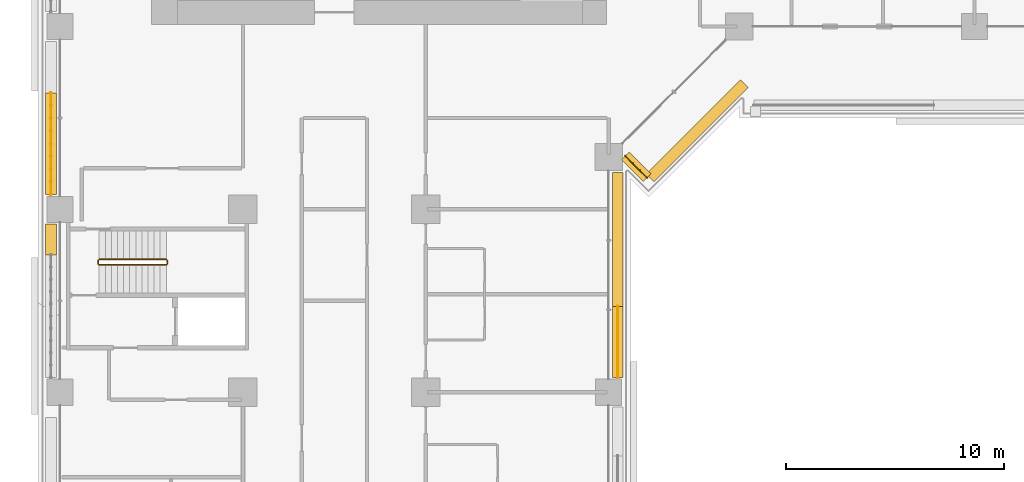
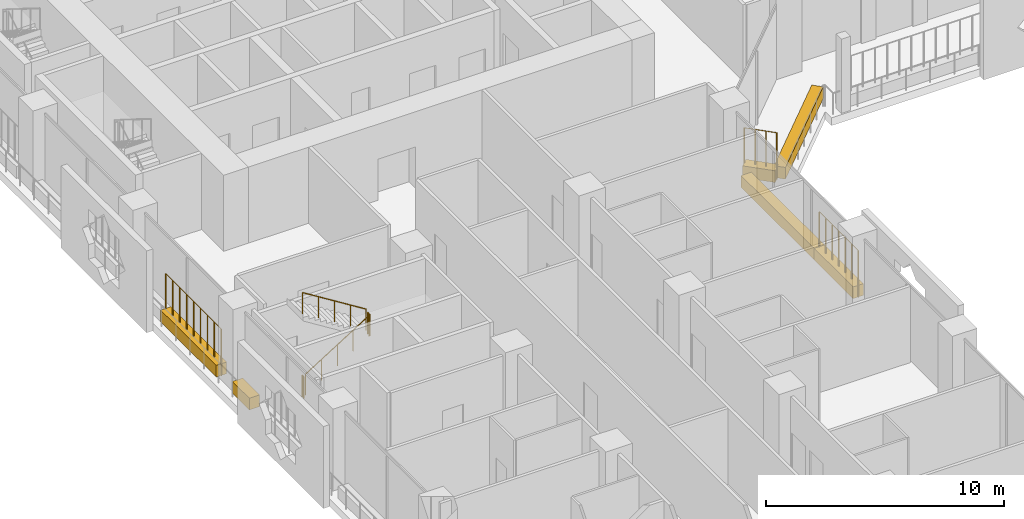
# One storey, part 23 of 29: 7 railings, 6 coverings.
"""IFC4 building model written with IfcOpenShell, lengths in metres."""

from ifc_helpers import new_model, si_unit, direction, frame, origin, origin_2d, place, context, subcontext, project, spatial, rectangle, circle, extrude, material, material_profile, profile_set, type_object, element, save


model = new_model("IFC4")

# Units and contexts
model_context = context("Model", 3, precision=1e-05, world=origin(), true_north=direction((0.0, 1.0)))
body_context = subcontext(model_context, "Body", "Model", "MODEL_VIEW")
ifc_project = project(units=[si_unit("LENGTHUNIT", "METRE"), si_unit("AREAUNIT", "SQUARE_METRE"), si_unit("VOLUMEUNIT", "CUBIC_METRE"), si_unit("PLANEANGLEUNIT", "RADIAN"), si_unit("MASSUNIT", "GRAM", prefix="KILO")], contexts=[model_context])

# Site, building, storey
site_placement = place(None, origin())
site = spatial("IfcSite", under=ifc_project, at=site_placement, CompositionType="ELEMENT")
building_placement = place(site_placement, origin())
building = spatial("IfcBuilding", under=site, at=building_placement, Name="Kawkab Arch Medical Tower", CompositionType="ELEMENT")
storey_placement = place(building_placement, frame((0.0, 0.0, 64.39990234375)))
storey = spatial("IfcBuildingStorey", under=building, at=storey_placement, Name="L14", CompositionType="ELEMENT", Elevation=64.39990234375)

# Coverings
ifc_material_1 = material(Name="Planting soil in a precast trough", Category="concrete")
ifc_material_profile = material_profile(ifc_material_1, rectangle(XDim=0.5, YDim=0.60009765625, at=origin_2d()), Name="Trough 500x600")
ifc_profile_set = profile_set([ifc_material_profile], Name="Planting soil in a precast trough")
covering_type = type_object("IfcCoveringType", Name="Planter trough 500 x 600", PredefinedType="USERDEFINED", material=ifc_profile_set)
covering_1_placement = place(storey_placement, frame((-0.419921875, -35.699951171875, 0.300048828125), z_axis=(0.0, 1.0, 0.0), x_axis=(-1.0, 0.0, 0.0)))
element("IfcCovering", 1, at=covering_1_placement, inside=storey, type_object=covering_type, Name="Planter L14.LOG-01-01.10", ObjectType="PLANTER", PredefinedType="USERDEFINED", context=body_context, shape_type="SweptSolid", body=[
    extrude(rectangle(XDim=0.5, YDim=0.60009765625, at=origin_2d()), origin(), (0.0, 0.0, 1.0), 1.419921875),
])
covering_2_placement = place(storey_placement, frame((-0.419921875, -32.919921875, 0.300048828125), z_axis=(0.0, 1.0, 0.0), x_axis=(-1.0, 0.0, 0.0)))
element("IfcCovering", 2, at=covering_2_placement, inside=storey, type_object=covering_type, Name="Planter L14.LOG-01-01.11", ObjectType="PLANTER", PredefinedType="USERDEFINED", context=body_context, shape_type="SweptSolid", body=[
    extrude(rectangle(XDim=0.5, YDim=0.60009765625, at=origin_2d()), origin(), (0.0, 0.0, 1.0), 4.676025390625),
])
covering_3_placement = place(storey_placement, frame((31.43701171875, -27.820068359375, 0.300048828125), z_axis=(-0.707206504313, -0.707007043994, 0.0), x_axis=(0.707007043994, -0.707206504313, 0.0)))
element("IfcCovering", 3, at=covering_3_placement, inside=storey, type_object=covering_type, Name="Planter L14.LOG-01-01.42", ObjectType="PLANTER", PredefinedType="USERDEFINED", context=body_context, shape_type="SweptSolid", body=[
    extrude(rectangle(XDim=0.5, YDim=0.60009765625, at=origin_2d()), origin(), (0.0, 0.0, 1.0), 6.1201171875),
])
covering_4_placement = place(storey_placement, frame((26.967041015625, -32.14697265625, 0.300048828125), z_axis=(-0.707192746389, 0.707020805532, 0.0), x_axis=(-0.707020805532, -0.707192746389, 0.0)))
element("IfcCovering", 4, at=covering_4_placement, inside=storey, type_object=covering_type, Name="Planter L14.LOG-01-01.43", ObjectType="PLANTER", PredefinedType="USERDEFINED", context=body_context, shape_type="SweptSolid", body=[
    extrude(rectangle(XDim=0.5, YDim=0.60009765625, at=origin_2d()), origin(), (0.0, 0.0, 1.0), 1.419921875),
])
covering_5_placement = place(storey_placement, frame((25.6201171875, -31.905029296875, 0.300048828125), z_axis=(0.0, -1.0, 0.0), x_axis=(1.0, 0.0, 0.0)))
element("IfcCovering", 5, at=covering_5_placement, inside=storey, type_object=covering_type, Name="Planter L14.LOG-01-01.44", ObjectType="PLANTER", PredefinedType="USERDEFINED", context=body_context, shape_type="SweptSolid", body=[
    extrude(rectangle(XDim=0.5, YDim=0.60009765625, at=origin_2d()), origin(), (0.0, 0.0, 1.0), 6.14794921875),
])
covering_6_placement = place(storey_placement, frame((25.6201171875, -38.052978515625, 0.300048828125), z_axis=(0.0, -1.0, 0.0), x_axis=(1.0, 0.0, 0.0)))
element("IfcCovering", 6, at=covering_6_placement, inside=storey, type_object=covering_type, Name="Planter L14.LOG-01-01.45", ObjectType="PLANTER", PredefinedType="USERDEFINED", context=body_context, shape_type="SweptSolid", body=[
    extrude(rectangle(XDim=0.5, YDim=0.60009765625, at=origin_2d()), origin(), (0.0, 0.0, 1.0), 3.26708984375),
])

# Railings
ifc_material_2 = material(Name="Bronze anodised aluminium trellis for climbing plants", Category="aluminium")
railing_type_1 = type_object("IfcRailingType", Name="Planting trellis 2400", PredefinedType="USERDEFINED", material=ifc_material_2)
railing_1_placement = place(storey_placement, frame((-0.419921875, -32.919921875, 0.0)))
element("IfcRailing", 7, at=railing_1_placement, inside=storey, type_object=railing_type_1, Name="Planting trellis L14.LOG-01-01.11", ObjectType="TRELLIS", PredefinedType="USERDEFINED", context=body_context, shape_type="SweptSolid", body=[
    extrude(circle(Radius=0.01513671875, at=origin_2d()), frame((0.0, 0.0, 2.384765625), z_axis=(0.0, 1.0, 0.0), x_axis=(-1.0, 0.0, 0.0)), (0.0, 0.0, 1.0), 4.676025390625),
    extrude(circle(Radius=0.030029296875, at=origin_2d()), origin(), (0.0, 0.0, 1.0), 2.369873046875),
    extrude(circle(Radius=0.030029296875, at=origin_2d()), frame((0.0, 0.58447265625, 0.0)), (0.0, 0.0, 1.0), 2.369873046875),
    extrude(circle(Radius=0.030029296875, at=origin_2d()), frame((0.0, 1.1689453125, 0.0)), (0.0, 0.0, 1.0), 2.369873046875),
    extrude(circle(Radius=0.030029296875, at=origin_2d()), frame((0.0, 1.75341796875, 0.0)), (0.0, 0.0, 1.0), 2.369873046875),
    extrude(circle(Radius=0.030029296875, at=origin_2d()), frame((0.0, 2.337890625, 0.0)), (0.0, 0.0, 1.0), 2.369873046875),
    extrude(circle(Radius=0.030029296875, at=origin_2d()), frame((0.0, 2.922607421875, 0.0)), (0.0, 0.0, 1.0), 2.369873046875),
    extrude(circle(Radius=0.030029296875, at=origin_2d()), frame((0.0, 3.507080078125, 0.0)), (0.0, 0.0, 1.0), 2.369873046875),
    extrude(circle(Radius=0.030029296875, at=origin_2d()), frame((0.0, 4.091552734375, 0.0)), (0.0, 0.0, 1.0), 2.369873046875),
    extrude(circle(Radius=0.030029296875, at=origin_2d()), frame((0.0, 4.676025390625, 0.0)), (0.0, 0.0, 1.0), 2.369873046875),
])
railing_2_placement = place(storey_placement, frame((26.967041015625, -32.14697265625, 0.0)))
element("IfcRailing", 8, at=railing_2_placement, inside=storey, type_object=railing_type_1, Name="Planting trellis L14.LOG-01-01.43", ObjectType="TRELLIS", PredefinedType="USERDEFINED", context=body_context, shape_type="SweptSolid", body=[
    extrude(circle(Radius=0.01513671875, at=origin_2d()), frame((0.0, 0.0, 2.384765625), z_axis=(-0.707192746389, 0.707020805532, 0.0), x_axis=(-0.707020805532, -0.707192746389, 0.0)), (0.0, 0.0, 1.0), 1.419921875),
    extrude(circle(Radius=0.030029296875, at=origin_2d()), origin(), (0.0, 0.0, 1.0), 2.369873046875),
    extrude(circle(Radius=0.030029296875, at=origin_2d()), frame((-0.334716796875, 0.334716796875, 0.0)), (0.0, 0.0, 1.0), 2.369873046875),
    extrude(circle(Radius=0.030029296875, at=origin_2d()), frame((-0.66943359375, 0.669189453125, 0.0)), (0.0, 0.0, 1.0), 2.369873046875),
    extrude(circle(Radius=0.030029296875, at=origin_2d()), frame((-1.004150390625, 1.00390625, 0.0)), (0.0, 0.0, 1.0), 2.369873046875),
])
railing_3_placement = place(storey_placement, frame((25.6201171875, -38.052978515625, 0.0)))
element("IfcRailing", 9, at=railing_3_placement, inside=storey, type_object=railing_type_1, Name="Planting trellis L14.LOG-01-01.45", ObjectType="TRELLIS", PredefinedType="USERDEFINED", context=body_context, shape_type="SweptSolid", body=[
    extrude(circle(Radius=0.01513671875, at=origin_2d()), frame((0.0, 0.0, 2.384765625), z_axis=(0.0, -1.0, 0.0), x_axis=(1.0, 0.0, 0.0)), (0.0, 0.0, 1.0), 3.26708984375),
    extrude(circle(Radius=0.030029296875, at=origin_2d()), origin(), (0.0, 0.0, 1.0), 2.369873046875),
    extrude(circle(Radius=0.030029296875, at=origin_2d()), frame((0.0, -0.54443359375, 0.0)), (0.0, 0.0, 1.0), 2.369873046875),
    extrude(circle(Radius=0.030029296875, at=origin_2d()), frame((0.0, -1.089111328125, 0.0)), (0.0, 0.0, 1.0), 2.369873046875),
    extrude(circle(Radius=0.030029296875, at=origin_2d()), frame((0.0, -1.633544921875, 0.0)), (0.0, 0.0, 1.0), 2.369873046875),
    extrude(circle(Radius=0.030029296875, at=origin_2d()), frame((0.0, -2.177978515625, 0.0)), (0.0, 0.0, 1.0), 2.369873046875),
    extrude(circle(Radius=0.030029296875, at=origin_2d()), frame((0.0, -2.72265625, 0.0)), (0.0, 0.0, 1.0), 2.369873046875),
    extrude(circle(Radius=0.030029296875, at=origin_2d()), frame((0.0, -3.26708984375, 0.0)), (0.0, 0.0, 1.0), 2.369873046875),
])
ifc_material_3 = material(Name="Stainless steel", Category="steel")
railing_type_2 = type_object("IfcRailingType", Name="Stair guard 1100", PredefinedType="GUARDRAIL", material=ifc_material_3)
railing_4_placement = place(storey_placement, frame((1.800048828125, -36.14990234375, 0.175048828125)))
element("IfcRailing", 10, at=railing_4_placement, inside=storey, type_object=railing_type_2, Name="L14 ST6 stair guard 1", PredefinedType="GUARDRAIL", context=body_context, shape_type="SweptSolid", body=[
    extrude(circle(Radius=0.02392578125, at=origin_2d()), frame((0.0, 0.0, 1.076171875), z_axis=(0.847979421464, 0.0, 0.530029150871), x_axis=(0.0, 1.0, 0.0)), (0.0, 0.0, 1.0), 3.632080078125),
    extrude(circle(Radius=0.02099609375, at=origin_2d()), origin(), (0.0, 0.0, 1.0), 1.052001953125),
    extrude(circle(Radius=0.02099609375, at=origin_2d()), frame((0.77001953125, 0.0, 0.481201171875)), (0.0, 0.0, 1.0), 1.052001953125),
    extrude(circle(Radius=0.02099609375, at=origin_2d()), frame((1.5400390625, 0.0, 0.96240234375)), (0.0, 0.0, 1.0), 1.052001953125),
    extrude(circle(Radius=0.02099609375, at=origin_2d()), frame((2.309814453125, 0.0, 1.44384765625)), (0.0, 0.0, 1.0), 1.052001953125),
    extrude(circle(Radius=0.02099609375, at=origin_2d()), frame((3.079833984375, 0.0, 1.925048828125)), (0.0, 0.0, 1.0), 1.052001953125),
])
railing_5_placement = place(storey_placement, frame((4.929931640625, -36.10009765625, 2.10009765625)))
element("IfcRailing", 11, at=railing_5_placement, inside=storey, type_object=railing_type_2, Name="L14 ST6 stair guard 2", PredefinedType="GUARDRAIL", context=body_context, shape_type="SweptSolid", body=[
    extrude(circle(Radius=0.02392578125, at=origin_2d()), frame((0.0, 0.0, 1.076171875), z_axis=(0.0, 1.0, 0.0), x_axis=(-1.0, 0.0, 0.0)), (0.0, 0.0, 1.0), 0.150146484375),
    extrude(circle(Radius=0.02099609375, at=origin_2d()), origin(), (0.0, 0.0, 1.0), 1.052001953125),
    extrude(circle(Radius=0.02099609375, at=origin_2d()), frame((0.0, 0.150146484375, 0.0)), (0.0, 0.0, 1.0), 1.052001953125),
])
railing_6_placement = place(storey_placement, frame((4.8798828125, -35.89990234375, 2.275146484375)))
element("IfcRailing", 12, at=railing_6_placement, inside=storey, type_object=railing_type_2, Name="L14 ST6 stair guard 3", PredefinedType="GUARDRAIL", context=body_context, shape_type="SweptSolid", body=[
    extrude(circle(Radius=0.02392578125, at=origin_2d()), frame((0.0, 0.0, 1.076171875), z_axis=(-0.847979421464, 0.0, 0.530029150871), x_axis=(0.0, -1.0, 0.0)), (0.0, 0.0, 1.0), 3.632080078125),
    extrude(circle(Radius=0.02099609375, at=origin_2d()), origin(), (0.0, 0.0, 1.0), 1.052001953125),
    extrude(circle(Radius=0.02099609375, at=origin_2d()), frame((-0.77001953125, 0.0, 0.481201171875)), (0.0, 0.0, 1.0), 1.052001953125),
    extrude(circle(Radius=0.02099609375, at=origin_2d()), frame((-1.5400390625, 0.0, 0.96240234375)), (0.0, 0.0, 1.0), 1.052001953125),
    extrude(circle(Radius=0.02099609375, at=origin_2d()), frame((-2.309814453125, 0.0, 1.44384765625)), (0.0, 0.0, 1.0), 1.052001953125),
    extrude(circle(Radius=0.02099609375, at=origin_2d()), frame((-3.079833984375, 0.0, 1.925048828125)), (0.0, 0.0, 1.0), 1.052001953125),
])
railing_7_placement = place(storey_placement, frame((1.75, -36.10009765625, 0.0)))
element("IfcRailing", 13, at=railing_7_placement, inside=storey, type_object=railing_type_2, Name="L14 ST6 stair guard 4", PredefinedType="GUARDRAIL", context=body_context, shape_type="SweptSolid", body=[
    extrude(circle(Radius=0.02392578125, at=origin_2d()), frame((0.0, 0.0, 1.076171875), z_axis=(0.0, 1.0, 0.0), x_axis=(-1.0, 0.0, 0.0)), (0.0, 0.0, 1.0), 0.150146484375),
    extrude(circle(Radius=0.02099609375, at=origin_2d()), origin(), (0.0, 0.0, 1.0), 1.052001953125),
    extrude(circle(Radius=0.02099609375, at=origin_2d()), frame((0.0, 0.150146484375, 0.0)), (0.0, 0.0, 1.0), 1.052001953125),
])

save(model, "model.ifc")
